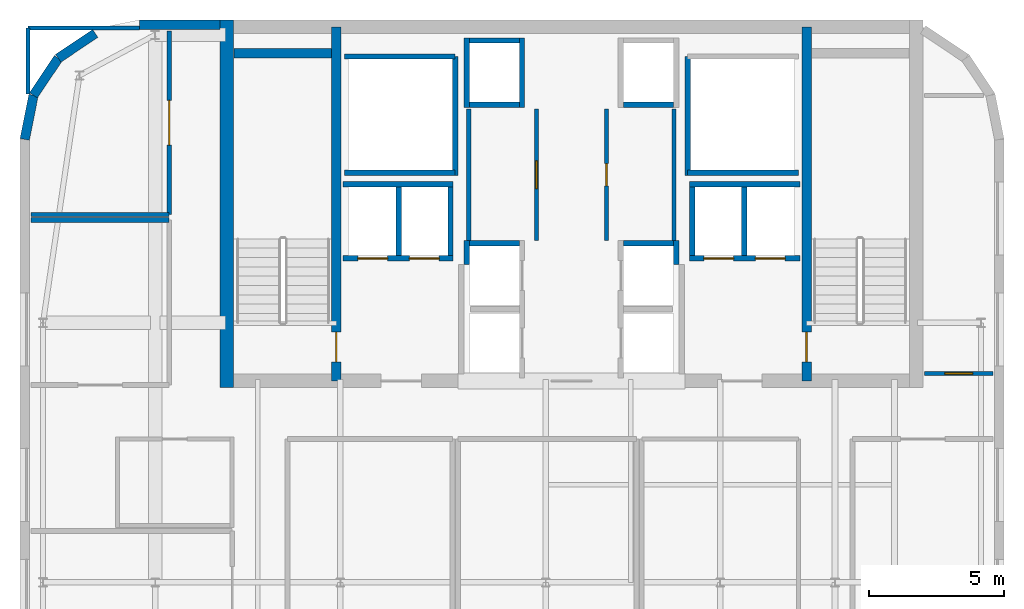
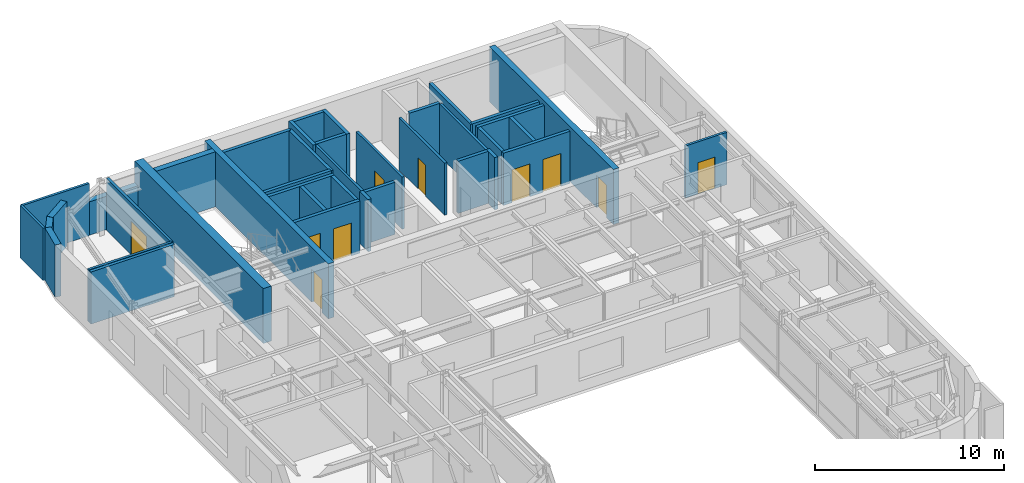
# One storey, part 16 of 18: 40 walls, 10 doors, 10 openings.
"""IFC4 building model written with IfcOpenShell, lengths in metres."""

from ifc_helpers import new_model, si_unit, direction, frame, frame_2d, origin, place, context, subcontext, project, spatial, rectangle, extrude, source, transform, mapped, material, layer, layer_set, type_object, type_shapes, element, fill, save


model = new_model("IFC4")

# Units and contexts
model_context = context("Model", 3, precision=1e-05, world=origin(), true_north=direction((0.0, 1.0)))
body_context = subcontext(model_context, "Body", "Model", "MODEL_VIEW")
ifc_project = project(units=[si_unit("LENGTHUNIT", "METRE"), si_unit("AREAUNIT", "SQUARE_METRE"), si_unit("VOLUMEUNIT", "CUBIC_METRE"), si_unit("PLANEANGLEUNIT", "RADIAN"), si_unit("MASSUNIT", "GRAM", prefix="KILO")], contexts=[model_context])

# Site, building, storey
site_placement = place(None, origin())
site = spatial("IfcSite", under=ifc_project, at=site_placement, CompositionType="ELEMENT")
building_placement = place(site_placement, origin())
building = spatial("IfcBuilding", under=site, at=building_placement, Name="Tolvann Quenvar Hotel", CompositionType="ELEMENT")
storey_placement = place(building_placement, frame((0.0, 0.0, 259.39990234375)))
storey = spatial("IfcBuildingStorey", under=building, at=storey_placement, Name="L69", CompositionType="ELEMENT", Elevation=259.39990234375)

# Wall
ifc_material_1 = material(Name="Concrete N50 (50 MPa)", Category="concrete")
ifc_layer_1 = layer(ifc_material_1, 0.5)
ifc_layer_set_1 = layer_set([ifc_layer_1], Name="Concrete N50 (50 MPa)")
wall_type_1 = type_object("IfcWallType", Name="WALL_CORE_500", PredefinedType="SHEAR", material=ifc_layer_set_1)
wall_1_placement = place(storey_placement, frame((10.25, 31.60009765625, 0.0), z_axis=(0.0, 0.0, 1.0), x_axis=(0.0, 1.0, 0.0)))
element("IfcWall", 1, at=wall_1_placement, inside=storey, type_object=wall_type_1, Name="Rear Core W Shear Wall (L69)", PredefinedType="SHEAR", context=body_context, shape_type="SweptSolid", body=[
    extrude(rectangle(XDim=13.599853515625, YDim=0.5, at=frame_2d((6.7998046875, 0.0))), origin(), (0.0, 0.0, 1.0), 3.550048828125),
])

# Wall, opening, door
ifc_material_2 = material(Name="Concrete S65 (65 MPa)", Category="concrete")
ifc_layer_2 = layer(ifc_material_2, 0.35009765625)
ifc_layer_set_2 = layer_set([ifc_layer_2], Name="Concrete S65 (65 MPa)")
wall_type_2 = type_object("IfcWallType", Name="WALL_CORE_INT_350", PredefinedType="SHEAR", material=ifc_layer_set_2)
wall_2_placement = place(storey_placement, frame((14.300048828125, 31.85009765625, 0.0), z_axis=(0.0, 0.0, 1.0), x_axis=(0.0, 1.0, 0.0)))
wall_2 = element("IfcWall", 2, at=wall_2_placement, inside=storey, type_object=wall_type_2, Name="Core Internal Web Shear Wall WEB-W (L69)", PredefinedType="SHEAR", context=body_context, shape_type="SweptSolid", body=[
    extrude(rectangle(XDim=13.099853515625, YDim=0.35009765625, at=frame_2d((6.5498046875, 0.0))), origin(), (0.0, 0.0, 1.0), 3.550048828125),
])
opening_1_placement = place(wall_2_placement, frame((0.699951171875, 0.0, 0.0)))
opening_1 = element("IfcOpeningElement", 3, at=opening_1_placement, cuts=wall_2, Name="Opening FD-120", PredefinedType="OPENING", context=body_context, shape_type="SweptSolid", body=[
    extrude(rectangle(XDim=1.10009765625, YDim=2.1201171875, at=frame_2d((0.550048828125, 1.06005859375))), frame((0.0, 0.18505859375, 0.0), z_axis=(0.0, -1.0, 0.0), x_axis=(1.0, 0.0, 0.0)), (0.0, 0.0, 1.0), 0.3701171875),
])
ifc_material_3 = material(Name="Pressed galvanised steel fire-rated door set", Category="steel")
door_type_1 = type_object("IfcDoorType", Name="DOOR_FIRE_STAIR_1100", OperationType="NOTDEFINED", PredefinedType="DOOR", material=ifc_material_3)
shared_shape_1 = source(origin(), body_context, "Body", "SweptSolid", [
    extrude(rectangle(XDim=1.10009765625, YDim=2.1201171875, at=frame_2d((0.550048828125, 1.06005859375))), frame((0.0, 0.02490234375, 0.0), z_axis=(0.0, -1.0, 0.0), x_axis=(1.0, 0.0, 0.0)), (0.0, 0.0, 1.0), 0.050048828125),
])
type_shapes(door_type_1, [shared_shape_1])
door_1_placement = place(opening_1_placement, origin())
door_1 = element("IfcDoor", 4, at=door_1_placement, inside=storey, type_object=door_type_1, Name="Exit Stair ST-C1 Fire Door (L69)", OperationType="SINGLE_SWING_LEFT", OverallHeight=2.1201171875, OverallWidth=1.10009765625, PredefinedType="DOOR", context=body_context, shape_type="MappedRepresentation", body=[
    mapped(shared_shape_1, transform((0.0, 0.0, 0.0), x_axis=(1.0, 0.0, 0.0), y_axis=(0.0, 1.0, 0.0), z_axis=(0.0, 0.0, 1.0), scale=1.0)),
])
fill(opening_1, door_1)

wall_3_placement = place(storey_placement, frame((31.699951171875, 31.85009765625, 0.0), z_axis=(0.0, 0.0, 1.0), x_axis=(0.0, 1.0, 0.0)))
wall_3 = element("IfcWall", 5, at=wall_3_placement, inside=storey, type_object=wall_type_2, Name="Core Internal Web Shear Wall WEB-E (L69)", PredefinedType="SHEAR", context=body_context, shape_type="SweptSolid", body=[
    extrude(rectangle(XDim=13.099853515625, YDim=0.35009765625, at=frame_2d((6.5498046875, 0.0))), origin(), (0.0, 0.0, 1.0), 3.550048828125),
])
opening_2_placement = place(wall_3_placement, frame((1.800048828125, 0.0, 0.0), z_axis=(0.0, 0.0, 1.0), x_axis=(-1.0, 0.0, 0.0)))
opening_2 = element("IfcOpeningElement", 6, at=opening_2_placement, cuts=wall_3, Name="Opening FD-120", PredefinedType="OPENING", context=body_context, shape_type="SweptSolid", body=[
    extrude(rectangle(XDim=1.10009765625, YDim=2.1201171875, at=frame_2d((0.550048828125, 1.06005859375))), frame((0.0, 0.18505859375, 0.0), z_axis=(0.0, -1.0, 0.0), x_axis=(1.0, 0.0, 0.0)), (0.0, 0.0, 1.0), 0.3701171875),
])
door_2_placement = place(opening_2_placement, origin())
door_2 = element("IfcDoor", 7, at=door_2_placement, inside=storey, type_object=door_type_1, Name="Exit Stair ST-C2 Fire Door (L69)", OperationType="SINGLE_SWING_RIGHT", OverallHeight=2.1201171875, OverallWidth=1.10009765625, PredefinedType="DOOR", context=body_context, shape_type="MappedRepresentation", body=[
    mapped(shared_shape_1, transform((0.0, 0.0, 0.0), x_axis=(1.0, 0.0, 0.0), y_axis=(0.0, 1.0, 0.0), z_axis=(0.0, 0.0, 1.0), scale=1.0)),
])
fill(opening_2, door_2)

# Walls
wall_4_placement = place(storey_placement, frame((10.52001953125, 43.97509765625, 0.0), z_axis=(0.0, 0.0, 1.0), x_axis=(1.0, 0.0, 0.0)))
element("IfcWall", 8, at=wall_4_placement, inside=storey, type_object=wall_type_2, Name="Core Stair North Closing Shear Wall STC1-N (L69)", PredefinedType="SHEAR", context=body_context, shape_type="SweptSolid", body=[
    extrude(rectangle(XDim=3.60009765625, YDim=0.35009765625, at=frame_2d((1.800048828125, 0.0))), origin(), (0.0, 0.0, 1.0), 3.550048828125),
])
ifc_material_4 = material(Name="Kiln-fired red and buff architectural clay brickwork and terracotta masonry", Category="masonry")
ifc_layer_3 = layer(ifc_material_4, 0.35009765625)
ifc_layer_set_3 = layer_set([ifc_layer_3], Name="Kiln-fired red and buff architectural clay brickwork and terracotta masonry")
wall_type_3 = type_object("IfcWallType", Name="WALL_EXT_BRICK_350", PredefinedType="SOLIDWALL", material=ifc_layer_set_3)
wall_5_placement = place(storey_placement, frame((9.99609375, 45.02490234375, 0.0), z_axis=(0.0, 0.0, 1.0), x_axis=(-1.0, 0.0, 0.0)))
element("IfcWall", 9, at=wall_5_placement, inside=storey, type_object=wall_type_3, Name="Exterior Chicago Brick Wall L69-E18NW", PredefinedType="SOLIDWALL", context=body_context, shape_type="SweptSolid", body=[
    extrude(rectangle(XDim=2.97900390625, YDim=0.35009765625, at=frame_2d((1.489501953125, 0.0))), origin(), (0.0, 0.0, 1.0), 2.16015625),
])
for number, where, z_axis, x_axis, name in (
    (10, (5.384521484375, 44.7001953125, 0.0), (0.0, 0.0, 1.0), (-0.831502623162, -0.555520825599, 0.0), "Exterior Chicago Brick Wall L69-E20"),
    (11, (4.014892578125, 43.78515625, 0.0), (0.0, 0.0, 1.0), (-0.555623290322, -0.831434158098, 0.0), "Exterior Chicago Brick Wall L69-E21"),
):
    element("IfcWall", number, at=place(storey_placement, frame(where, z_axis=z_axis, x_axis=x_axis)), inside=storey, type_object=wall_type_3, Name=name, PredefinedType="SOLIDWALL", context=body_context, shape_type="SweptSolid", body=[
        extrude(rectangle(XDim=1.647216796875, YDim=0.35009765625, at=frame_2d((0.82373046875, 0.0))), origin(), (0.0, 0.0, 1.0), 2.900146484375),
    ])
wall_6_placement = place(storey_placement, frame((3.099609375, 42.41552734375, 0.0), z_axis=(0.0, 0.0, 1.0), x_axis=(-0.195044345786, -0.980794424524, 0.0)))
element("IfcWall", 12, at=wall_6_placement, inside=storey, type_object=wall_type_3, Name="Exterior Chicago Brick Wall L69-E22", PredefinedType="SOLIDWALL", context=body_context, shape_type="SweptSolid", body=[
    extrude(rectangle(XDim=1.664794921875, YDim=0.35009765625, at=frame_2d((0.83251953125, 0.0))), origin(), (0.0, 0.0, 1.0), 3.3701171875),
])
ifc_material_5 = material(Name="Acoustic twin-stud fire-rated gypsum plasterboard partition")
ifc_layer_4 = layer(ifc_material_5, 0.179931640625)
ifc_layer_set_4 = layer_set([ifc_layer_4], Name="Acoustic twin-stud fire-rated gypsum plasterboard partition")
wall_type_4 = type_object("IfcWallType", Name="WALL_PART_ACOUSTIC_180", PredefinedType="PARTITIONING", material=ifc_layer_set_4)
wall_7_placement = place(storey_placement, frame((3.0048828125, 37.800048828125, 0.0), z_axis=(0.0, 0.0, 1.0), x_axis=(1.0, 0.0, 0.0)))
element("IfcWall", 13, at=wall_7_placement, inside=storey, type_object=wall_type_4, Name="Interior Partition PT-SPC-L69-SAL-N", PredefinedType="PARTITIONING", context=body_context, shape_type="SweptSolid", body=[
    extrude(rectangle(XDim=5.115234375, YDim=0.179931640625, at=frame_2d((2.5576171875, 0.0))), origin(), (0.0, 0.0, 1.0), 3.3701171875),
])

# Wall, opening, door
ifc_layer_5 = layer(ifc_material_5, 0.14990234375)
ifc_layer_set_5 = layer_set([ifc_layer_5], Name="Acoustic twin-stud fire-rated gypsum plasterboard partition")
wall_type_5 = type_object("IfcWallType", Name="WALL_PART_SUITE_150", PredefinedType="PARTITIONING", material=ifc_layer_set_5)
wall_8_placement = place(storey_placement, frame((21.699951171875, 37.050048828125, 0.0), z_axis=(0.0, 0.0, 1.0), x_axis=(0.0, 1.0, 0.0)))
wall_8 = element("IfcWall", 14, at=wall_8_placement, inside=storey, type_object=wall_type_5, Name="Interior Partition PT-SPC-L69-RECPM-1-ENT", PredefinedType="PARTITIONING", context=body_context, shape_type="SweptSolid", body=[
    extrude(rectangle(XDim=4.849853515625, YDim=0.14990234375, at=frame_2d((2.4248046875, 0.0))), origin(), (0.0, 0.0, 1.0), 3.3701171875),
])
opening_3_placement = place(wall_8_placement, frame((1.9150390625, 0.0, 0.0)))
opening_3 = element("IfcOpeningElement", 15, at=opening_3_placement, cuts=wall_8, Name="Opening HD-01", PredefinedType="OPENING", context=body_context, shape_type="SweptSolid", body=[
    extrude(rectangle(XDim=1.02001953125, YDim=2.030029296875, at=frame_2d((0.510009765625, 1.01513671875))), frame((0.0, 0.0849609375, 0.0), z_axis=(0.0, -1.0, 0.0), x_axis=(1.0, 0.0, 0.0)), (0.0, 0.0, 1.0), 0.169921875),
])
door_type_2 = type_object("IfcDoorType", Name="DOOR_BOH_1020", OperationType="NOTDEFINED", PredefinedType="DOOR", material=ifc_material_3)
shared_shape_2 = source(origin(), body_context, "Body", "SweptSolid", [
    extrude(rectangle(XDim=1.02001953125, YDim=2.030029296875, at=frame_2d((0.510009765625, 1.01513671875))), frame((0.0, 0.02490234375, 0.0), z_axis=(0.0, -1.0, 0.0), x_axis=(1.0, 0.0, 0.0)), (0.0, 0.0, 1.0), 0.050048828125),
])
type_shapes(door_type_2, [shared_shape_2])
door_3_placement = place(opening_3_placement, origin())
door_3 = element("IfcDoor", 16, at=door_3_placement, inside=storey, type_object=door_type_2, Name="Interior Door DOOR-SPC-L69-RECPM-1", OperationType="SINGLE_SWING_LEFT", OverallHeight=2.030029296875, OverallWidth=1.02001953125, PredefinedType="DOOR", context=body_context, shape_type="MappedRepresentation", body=[
    mapped(shared_shape_2, transform((0.0, 0.0, 0.0), x_axis=(1.0, 0.0, 0.0), y_axis=(0.0, 1.0, 0.0), z_axis=(0.0, 0.0, 1.0), scale=1.0)),
])
fill(opening_3, door_3)

# Wall
wall_9_placement = place(storey_placement, frame((19.199951171875, 37.0400390625, 0.0), z_axis=(0.0, 0.0, 1.0), x_axis=(0.0, 1.0, 0.0)))
element("IfcWall", 17, at=wall_9_placement, inside=storey, type_object=wall_type_5, Name="Interior Partition PT-SPC-L69-RECPM-1-W", PredefinedType="PARTITIONING", context=body_context, shape_type="SweptSolid", body=[
    extrude(rectangle(XDim=4.85986328125, YDim=0.14990234375, at=frame_2d((2.429931640625, 0.0))), origin(), (0.0, 0.0, 1.0), 3.3701171875),
])

# Wall, opening, door
wall_10_placement = place(storey_placement, frame((24.300048828125, 37.050048828125, 0.0), z_axis=(0.0, 0.0, 1.0), x_axis=(0.0, 1.0, 0.0)))
wall_10 = element("IfcWall", 18, at=wall_10_placement, inside=storey, type_object=wall_type_5, Name="Interior Partition PT-SPC-L69-RECPM-2-ENT", PredefinedType="PARTITIONING", context=body_context, shape_type="SweptSolid", body=[
    extrude(rectangle(XDim=4.849853515625, YDim=0.14990234375, at=frame_2d((2.4248046875, 0.0))), origin(), (0.0, 0.0, 1.0), 3.3701171875),
])
opening_4_placement = place(wall_10_placement, frame((2.014892578125, 0.0, 0.0)))
opening_4 = element("IfcOpeningElement", 19, at=opening_4_placement, cuts=wall_10, Name="Opening HD-02", PredefinedType="OPENING", context=body_context, shape_type="SweptSolid", body=[
    extrude(rectangle(XDim=0.820068359375, YDim=2.010009765625, at=frame_2d((0.41015625, 1.0048828125))), frame((0.0, 0.0849609375, 0.0), z_axis=(0.0, -1.0, 0.0), x_axis=(1.0, 0.0, 0.0)), (0.0, 0.0, 1.0), 0.169921875),
])
door_type_3 = type_object("IfcDoorType", Name="DOOR_STORE_820", OperationType="NOTDEFINED", PredefinedType="DOOR", material=ifc_material_3)
shared_shape_3 = source(origin(), body_context, "Body", "SweptSolid", [
    extrude(rectangle(XDim=0.820068359375, YDim=2.010009765625, at=frame_2d((0.41015625, 1.0048828125))), frame((0.0, 0.02490234375, 0.0), z_axis=(0.0, -1.0, 0.0), x_axis=(1.0, 0.0, 0.0)), (0.0, 0.0, 1.0), 0.050048828125),
])
type_shapes(door_type_3, [shared_shape_3])
door_4_placement = place(opening_4_placement, origin())
door_4 = element("IfcDoor", 20, at=door_4_placement, inside=storey, type_object=door_type_3, Name="Interior Door DOOR-SPC-L69-RECPM-2", OperationType="SINGLE_SWING_RIGHT", OverallHeight=2.010009765625, OverallWidth=0.820068359375, PredefinedType="DOOR", context=body_context, shape_type="MappedRepresentation", body=[
    mapped(shared_shape_3, transform((0.0, 0.0, 0.0), x_axis=(1.0, 0.0, 0.0), y_axis=(0.0, 1.0, 0.0), z_axis=(0.0, 0.0, 1.0), scale=1.0)),
])
fill(opening_4, door_4)

# Walls
wall_11_placement = place(storey_placement, frame((26.800048828125, 37.0400390625, 0.0), z_axis=(0.0, 0.0, 1.0), x_axis=(0.0, 1.0, 0.0)))
element("IfcWall", 21, at=wall_11_placement, inside=storey, type_object=wall_type_5, Name="Interior Partition PT-SPC-L69-RECPM-2-E", PredefinedType="PARTITIONING", context=body_context, shape_type="SweptSolid", body=[
    extrude(rectangle(XDim=4.85986328125, YDim=0.14990234375, at=frame_2d((2.429931640625, 0.0))), origin(), (0.0, 0.0, 1.0), 3.3701171875),
])
wall_12_placement = place(storey_placement, frame((3.0048828125, 38.0, 0.0), z_axis=(0.0, 0.0, 1.0), x_axis=(1.0, 0.0, 0.0)))
element("IfcWall", 22, at=wall_12_placement, inside=storey, type_object=wall_type_5, Name="Interior Partition PT-SPC-L69-SPA-S", PredefinedType="PARTITIONING", context=body_context, shape_type="SweptSolid", body=[
    extrude(rectangle(XDim=5.115234375, YDim=0.14990234375, at=frame_2d((2.5576171875, 0.0))), origin(), (0.0, 0.0, 1.0), 3.3701171875),
])
wall_13_placement = place(storey_placement, frame((2.89990234375, 44.89990234375, 0.0), z_axis=(0.0, 0.0, 1.0), x_axis=(1.0, 0.0, 0.0)))
element("IfcWall", 23, at=wall_13_placement, inside=storey, type_object=wall_type_5, Name="Interior Partition PT-SPC-L69-SPA-N", PredefinedType="PARTITIONING", context=body_context, shape_type="SweptSolid", body=[
    extrude(rectangle(XDim=4.1171875, YDim=0.14990234375, at=frame_2d((2.05859375, 0.0))), origin(), (0.0, 0.0, 1.0), 3.3701171875),
])
wall_14_placement = place(storey_placement, frame((2.89990234375, 42.455078125, 0.0), z_axis=(0.0, 0.0, 1.0), x_axis=(0.0, 1.0, 0.0)))
element("IfcWall", 24, at=wall_14_placement, inside=storey, type_object=wall_type_5, Name="Interior Partition PT-SPC-L69-SPA-W", PredefinedType="PARTITIONING", context=body_context, shape_type="SweptSolid", body=[
    extrude(rectangle(XDim=2.44482421875, YDim=0.14990234375, at=frame_2d((1.222412109375, 0.0))), origin(), (0.0, 0.0, 1.0), 3.3701171875),
])

# Wall, opening, door
wall_15_placement = place(storey_placement, frame((8.1201171875, 38.0, 0.0), z_axis=(0.0, 0.0, 1.0), x_axis=(0.0, 1.0, 0.0)))
wall_15 = element("IfcWall", 25, at=wall_15_placement, inside=storey, type_object=wall_type_5, Name="Interior Partition PT-SPC-L69-SPA-E", PredefinedType="PARTITIONING", context=body_context, shape_type="SweptSolid", body=[
    extrude(rectangle(XDim=6.794921875, YDim=0.14990234375, at=frame_2d((3.3974609375, 0.0))), origin(), (0.0, 0.0, 1.0), 3.3701171875),
])
opening_5_placement = place(wall_15_placement, frame((2.572509765625, 0.0, 0.0)))
opening_5 = element("IfcOpeningElement", 26, at=opening_5_placement, cuts=wall_15, Name="Opening AD-01", PredefinedType="OPENING", context=body_context, shape_type="SweptSolid", body=[
    extrude(rectangle(XDim=1.64990234375, YDim=2.14990234375, at=frame_2d((0.824951171875, 1.074951171875))), frame((0.0, 0.0849609375, 0.0), z_axis=(0.0, -1.0, 0.0), x_axis=(1.0, 0.0, 0.0)), (0.0, 0.0, 1.0), 0.169921875),
])
ifc_material_6 = material(Name="Solid-core American oak acoustic fire door leaf in steel frame", Category="steel")
door_type_4 = type_object("IfcDoorType", Name="DOOR_SALON_1650", OperationType="NOTDEFINED", PredefinedType="DOOR", material=ifc_material_6)
shared_shape_4 = source(origin(), body_context, "Body", "SweptSolid", [
    extrude(rectangle(XDim=1.64990234375, YDim=2.14990234375, at=frame_2d((0.824951171875, 1.074951171875))), frame((0.0, 0.02490234375, 0.0), z_axis=(0.0, -1.0, 0.0), x_axis=(1.0, 0.0, 0.0)), (0.0, 0.0, 1.0), 0.050048828125),
])
type_shapes(door_type_4, [shared_shape_4])
door_5_placement = place(opening_5_placement, origin())
door_5 = element("IfcDoor", 27, at=door_5_placement, inside=storey, type_object=door_type_4, Name="Interior Door DOOR-SPC-L69-SPA", OperationType="DOUBLE_DOOR_SINGLE_SWING", OverallHeight=2.14990234375, OverallWidth=1.64990234375, PredefinedType="DOOR", context=body_context, shape_type="MappedRepresentation", body=[
    mapped(shared_shape_4, transform((0.0, 0.0, 0.0), x_axis=(1.0, 0.0, 0.0), y_axis=(0.0, 1.0, 0.0), z_axis=(0.0, 0.0, 1.0), scale=1.0)),
])
fill(opening_5, door_5)

wall_16_placement = place(storey_placement, frame((36.054931640625, 32.1201171875, 0.0), z_axis=(0.0, 0.0, 1.0), x_axis=(1.0, 0.0, 0.0)))
wall_16 = element("IfcWall", 28, at=wall_16_placement, inside=storey, type_object=wall_type_5, Name="Interior Partition PT-SPC-L69-RECPL-P-S", PredefinedType="PARTITIONING", context=body_context, shape_type="SweptSolid", body=[
    extrude(rectangle(XDim=2.5400390625, YDim=0.14990234375, at=frame_2d((1.27001953125, 0.0))), origin(), (0.0, 0.0, 1.0), 3.3701171875),
])
opening_6_placement = place(wall_16_placement, frame((0.760009765625, 0.0, 0.0)))
opening_6 = element("IfcOpeningElement", 29, at=opening_6_placement, cuts=wall_16, Name="Opening HD-01", PredefinedType="OPENING", context=body_context, shape_type="SweptSolid", body=[
    extrude(rectangle(XDim=1.02001953125, YDim=2.030029296875, at=frame_2d((0.510009765625, 1.01513671875))), frame((0.0, 0.0849609375, 0.0), z_axis=(0.0, -1.0, 0.0), x_axis=(1.0, 0.0, 0.0)), (0.0, 0.0, 1.0), 0.169921875),
])
door_6_placement = place(opening_6_placement, origin())
door_6 = element("IfcDoor", 30, at=door_6_placement, inside=storey, type_object=door_type_2, Name="Interior Door DOOR-SPC-L69-RECPL-P", OperationType="SINGLE_SWING_LEFT", OverallHeight=2.030029296875, OverallWidth=1.02001953125, PredefinedType="DOOR", context=body_context, shape_type="MappedRepresentation", body=[
    mapped(shared_shape_2, transform((0.0, 0.0, 0.0), x_axis=(1.0, 0.0, 0.0), y_axis=(0.0, 1.0, 0.0), z_axis=(0.0, 0.0, 1.0), scale=1.0)),
])
fill(opening_6, door_6)

# Walls
ifc_material_7 = material(Name="Concrete N40 (40 MPa)", Category="concrete")
ifc_layer_6 = layer(ifc_material_7, 0.199951171875)
ifc_layer_set_6 = layer_set([ifc_layer_6], Name="Concrete N40 (40 MPa)")
wall_type_6 = type_object("IfcWallType", Name="WALL_SHAFT_200", PredefinedType="SOLIDWALL", material=ifc_layer_set_6)
wall_17_placement = place(storey_placement, frame((18.699951171875, 39.449951171875, 0.0), z_axis=(0.0, 0.0, 1.0), x_axis=(0.0, 1.0, 0.0)))
element("IfcWall", 31, at=wall_17_placement, inside=storey, type_object=wall_type_6, Name="Service Riser W Shaft Wall IN (L69)", PredefinedType="SOLIDWALL", context=body_context, shape_type="SweptSolid", body=[
    extrude(rectangle(XDim=4.400146484375, YDim=0.199951171875, at=frame_2d((2.2001953125, 0.0))), origin(), (0.0, 0.0, 1.0), 3.3701171875),
])
for number, where, z_axis, x_axis, name in (
    (32, (14.60009765625, 39.550048828125, 0.0), (0.0, 0.0, 1.0), (1.0, 0.0, 0.0), "Service Riser W Shaft Wall S (L69)"),
    (33, (14.60009765625, 43.85009765625, 0.0), (0.0, 0.0, 1.0), (1.0, 0.0, 0.0), "Service Riser W Shaft Wall N (L69)"),
):
    element("IfcWall", number, at=place(storey_placement, frame(where, z_axis=z_axis, x_axis=x_axis)), inside=storey, type_object=wall_type_6, Name=name, PredefinedType="SOLIDWALL", context=body_context, shape_type="SweptSolid", body=[
        extrude(rectangle(XDim=4.099853515625, YDim=0.199951171875, at=frame_2d((2.0498046875, 0.0))), origin(), (0.0, 0.0, 1.0), 3.3701171875),
    ])
wall_18_placement = place(storey_placement, frame((27.300048828125, 39.449951171875, 0.0), z_axis=(0.0, 0.0, 1.0), x_axis=(0.0, 1.0, 0.0)))
element("IfcWall", 34, at=wall_18_placement, inside=storey, type_object=wall_type_6, Name="Service Riser E Shaft Wall IN (L69)", PredefinedType="SOLIDWALL", context=body_context, shape_type="SweptSolid", body=[
    extrude(rectangle(XDim=4.400146484375, YDim=0.199951171875, at=frame_2d((2.2001953125, 0.0))), origin(), (0.0, 0.0, 1.0), 3.3701171875),
])
wall_19_placement = place(storey_placement, frame((27.300048828125, 39.550048828125, 0.0), z_axis=(0.0, 0.0, 1.0), x_axis=(1.0, 0.0, 0.0)))
element("IfcWall", 35, at=wall_19_placement, inside=storey, type_object=wall_type_6, Name="Service Riser E Shaft Wall S (L69)", PredefinedType="SOLIDWALL", context=body_context, shape_type="SweptSolid", body=[
    extrude(rectangle(XDim=4.099853515625, YDim=0.199951171875, at=frame_2d((2.0498046875, 0.0))), origin(), (0.0, 0.0, 1.0), 3.3701171875),
])
wall_20_placement = place(storey_placement, frame((19.1298828125, 36.159912109375, 0.0), z_axis=(0.0, 0.0, 1.0), x_axis=(0.0, 1.0, 0.0)))
element("IfcWall", 36, at=wall_20_placement, inside=storey, type_object=wall_type_6, Name="Lift Bank E21.1C1 Hoistway Rear Wall (L69)", PredefinedType="SOLIDWALL", context=body_context, shape_type="SweptSolid", body=[
    extrude(rectangle(XDim=0.880126953125, YDim=0.199951171875, at=frame_2d((0.43994140625, 0.0))), origin(), (0.0, 0.0, 1.0), 3.3701171875),
])
wall_21_placement = place(storey_placement, frame((19.22998046875, 36.93994140625, 0.0), z_axis=(0.0, 0.0, 1.0), x_axis=(1.0, 0.0, 0.0)))
element("IfcWall", 37, at=wall_21_placement, inside=storey, type_object=wall_type_6, Name="Lift Bank E21.1C1 Hoistway Cheek Wall 2 (L69)", PredefinedType="SOLIDWALL", context=body_context, shape_type="SweptSolid", body=[
    extrude(rectangle(XDim=1.840087890625, YDim=0.199951171875, at=frame_2d((0.919921875, 0.0))), origin(), (0.0, 0.0, 1.0), 3.3701171875),
])
for number, where, z_axis, x_axis, name in (
    (38, (21.169921875, 41.9599609375, 0.0), (0.0, 0.0, 1.0), (0.0, 1.0, 0.0), "Lift Bank E21.1C2 Hoistway Front Wall (L69)"),
    (39, (19.1298828125, 41.9599609375, 0.0), (0.0, 0.0, 1.0), (0.0, 1.0, 0.0), "Lift Bank E21.1C2 Hoistway Rear Wall (L69)"),
):
    element("IfcWall", number, at=place(storey_placement, frame(where, z_axis=z_axis, x_axis=x_axis)), inside=storey, type_object=wall_type_6, Name=name, PredefinedType="SOLIDWALL", context=body_context, shape_type="SweptSolid", body=[
        extrude(rectangle(XDim=2.580078125, YDim=0.199951171875, at=frame_2d((1.2900390625, 0.0))), origin(), (0.0, 0.0, 1.0), 3.3701171875),
    ])
for number, where, z_axis, x_axis, name in (
    (40, (19.22998046875, 42.06005859375, 0.0), (0.0, 0.0, 1.0), (1.0, 0.0, 0.0), "Lift Bank E21.1C2 Hoistway Cheek Wall 1 (L69)"),
    (41, (19.22998046875, 44.43994140625, 0.0), (0.0, 0.0, 1.0), (1.0, 0.0, 0.0), "Lift Bank E21.1C2 Hoistway Cheek Wall 2 (L69)"),
):
    element("IfcWall", number, at=place(storey_placement, frame(where, z_axis=z_axis, x_axis=x_axis)), inside=storey, type_object=wall_type_6, Name=name, PredefinedType="SOLIDWALL", context=body_context, shape_type="SweptSolid", body=[
        extrude(rectangle(XDim=1.840087890625, YDim=0.199951171875, at=frame_2d((0.919921875, 0.0))), origin(), (0.0, 0.0, 1.0), 3.3701171875),
    ])

# Wall, openings, doors
wall_22_placement = place(storey_placement, frame((27.375, 36.3798828125, 0.0), z_axis=(0.0, 0.0, 1.0), x_axis=(1.0, 0.0, 0.0)))
wall_22 = element("IfcWall", 42, at=wall_22_placement, inside=storey, type_object=wall_type_6, Name="Lift Bank SEC1 Hoistway Front Wall (L69)", PredefinedType="SOLIDWALL", context=body_context, shape_type="SweptSolid", body=[
    extrude(rectangle(XDim=4.074951171875, YDim=0.199951171875, at=frame_2d((2.03759765625, 0.0))), origin(), (0.0, 0.0, 1.0), 3.3701171875),
])
opening_7_placement = place(wall_22_placement, frame((0.52490234375, 0.0, 0.0)))
opening_7 = element("IfcOpeningElement", 43, at=opening_7_placement, cuts=wall_22, Name="Opening LD-01", PredefinedType="OPENING", context=body_context, shape_type="SweptSolid", body=[
    extrude(rectangle(XDim=1.10009765625, YDim=2.1201171875, at=frame_2d((0.550048828125, 1.06005859375))), frame((0.0, 0.10986328125, 0.0), z_axis=(0.0, -1.0, 0.0), x_axis=(1.0, 0.0, 0.0)), (0.0, 0.0, 1.0), 0.219970703125),
])
opening_8_placement = place(wall_22_placement, frame((2.425048828125, 0.0, 0.0)))
opening_8 = element("IfcOpeningElement", 44, at=opening_8_placement, cuts=wall_22, Name="Opening LD-01", PredefinedType="OPENING", context=body_context, shape_type="SweptSolid", body=[
    extrude(rectangle(XDim=1.10009765625, YDim=2.1201171875, at=frame_2d((0.550048828125, 1.06005859375))), frame((0.0, 0.10986328125, 0.0), z_axis=(0.0, -1.0, 0.0), x_axis=(1.0, 0.0, 0.0)), (0.0, 0.0, 1.0), 0.219970703125),
])
ifc_material_8 = material(Name="Brushed 316 stainless steel automatic sliding lift landing door", Category="steel")
door_type_5 = type_object("IfcDoorType", Name="DOOR_LIFT_SLIDE_1100", OperationType="NOTDEFINED", PredefinedType="DOOR", material=ifc_material_8)
shared_shape_5 = source(origin(), body_context, "Body", "SweptSolid", [
    extrude(rectangle(XDim=1.10009765625, YDim=2.1201171875, at=frame_2d((0.550048828125, 1.06005859375))), frame((0.0, 0.02490234375, 0.0), z_axis=(0.0, -1.0, 0.0), x_axis=(1.0, 0.0, 0.0)), (0.0, 0.0, 1.0), 0.050048828125),
])
type_shapes(door_type_5, [shared_shape_5])
door_7_placement = place(opening_7_placement, origin())
door_7 = element("IfcDoor", 45, at=door_7_placement, inside=storey, type_object=door_type_5, Name="Lift SV-2 Sliding Landing Door (L69)", OperationType="SLIDING_TO_LEFT", OverallHeight=2.1201171875, OverallWidth=1.10009765625, PredefinedType="DOOR", context=body_context, shape_type="MappedRepresentation", body=[
    mapped(shared_shape_5, transform((0.0, 0.0, 0.0), x_axis=(1.0, 0.0, 0.0), y_axis=(0.0, 1.0, 0.0), z_axis=(0.0, 0.0, 1.0), scale=1.0)),
])
fill(opening_7, door_7)
door_8_placement = place(opening_8_placement, origin())
door_8 = element("IfcDoor", 46, at=door_8_placement, inside=storey, type_object=door_type_5, Name="Lift FF-2 Sliding Landing Door (L69)", OperationType="SLIDING_TO_RIGHT", OverallHeight=2.1201171875, OverallWidth=1.10009765625, PredefinedType="DOOR", context=body_context, shape_type="MappedRepresentation", body=[
    mapped(shared_shape_5, transform((0.0, 0.0, 0.0), x_axis=(1.0, 0.0, 0.0), y_axis=(0.0, 1.0, 0.0), z_axis=(0.0, 0.0, 1.0), scale=1.0)),
])
fill(opening_8, door_8)

# Walls
wall_23_placement = place(storey_placement, frame((27.375, 39.1201171875, 0.0), z_axis=(0.0, 0.0, 1.0), x_axis=(1.0, 0.0, 0.0)))
element("IfcWall", 47, at=wall_23_placement, inside=storey, type_object=wall_type_6, Name="Lift Bank SEC1 Hoistway Rear Wall (L69)", PredefinedType="SOLIDWALL", context=body_context, shape_type="SweptSolid", body=[
    extrude(rectangle(XDim=4.074951171875, YDim=0.199951171875, at=frame_2d((2.03759765625, 0.0))), origin(), (0.0, 0.0, 1.0), 3.3701171875),
])
for number, where, z_axis, x_axis, name in (
    (48, (27.47509765625, 36.47998046875, 0.0), (0.0, 0.0, 1.0), (0.0, 1.0, 0.0), "Lift Bank SEC1 Hoistway Cheek Wall 1 (L69)"),
    (49, (29.387451171875, 36.47998046875, 0.0), (0.0, 0.0, 1.0), (0.0, 1.0, 0.0), "Lift Bank SEC1 Divider Wall 1 (L69)"),
):
    element("IfcWall", number, at=place(storey_placement, frame(where, z_axis=z_axis, x_axis=x_axis)), inside=storey, type_object=wall_type_6, Name=name, PredefinedType="SOLIDWALL", context=body_context, shape_type="SweptSolid", body=[
        extrude(rectangle(XDim=2.5400390625, YDim=0.199951171875, at=frame_2d((1.27001953125, 0.0))), origin(), (0.0, 0.0, 1.0), 3.3701171875),
    ])

# Wall, openings, doors
wall_24_placement = place(storey_placement, frame((14.550048828125, 36.3798828125, 0.0), z_axis=(0.0, 0.0, 1.0), x_axis=(1.0, 0.0, 0.0)))
wall_24 = element("IfcWall", 50, at=wall_24_placement, inside=storey, type_object=wall_type_6, Name="Lift Bank SWC1 Hoistway Front Wall (L69)", PredefinedType="SOLIDWALL", context=body_context, shape_type="SweptSolid", body=[
    extrude(rectangle(XDim=4.074951171875, YDim=0.199951171875, at=frame_2d((2.03759765625, 0.0))), origin(), (0.0, 0.0, 1.0), 3.3701171875),
])
opening_9_placement = place(wall_24_placement, frame((0.550048828125, 0.0, 0.0)))
opening_9 = element("IfcOpeningElement", 51, at=opening_9_placement, cuts=wall_24, Name="Opening LD-01", PredefinedType="OPENING", context=body_context, shape_type="SweptSolid", body=[
    extrude(rectangle(XDim=1.10009765625, YDim=2.1201171875, at=frame_2d((0.550048828125, 1.06005859375))), frame((0.0, 0.10986328125, 0.0), z_axis=(0.0, -1.0, 0.0), x_axis=(1.0, 0.0, 0.0)), (0.0, 0.0, 1.0), 0.219970703125),
])
opening_10_placement = place(wall_24_placement, frame((2.449951171875, 0.0, 0.0)))
opening_10 = element("IfcOpeningElement", 52, at=opening_10_placement, cuts=wall_24, Name="Opening LD-01", PredefinedType="OPENING", context=body_context, shape_type="SweptSolid", body=[
    extrude(rectangle(XDim=1.10009765625, YDim=2.1201171875, at=frame_2d((0.550048828125, 1.06005859375))), frame((0.0, 0.10986328125, 0.0), z_axis=(0.0, -1.0, 0.0), x_axis=(1.0, 0.0, 0.0)), (0.0, 0.0, 1.0), 0.219970703125),
])
door_9_placement = place(opening_9_placement, origin())
door_9 = element("IfcDoor", 53, at=door_9_placement, inside=storey, type_object=door_type_5, Name="Lift FF-1 Sliding Landing Door (L69)", OperationType="SLIDING_TO_LEFT", OverallHeight=2.1201171875, OverallWidth=1.10009765625, PredefinedType="DOOR", context=body_context, shape_type="MappedRepresentation", body=[
    mapped(shared_shape_5, transform((0.0, 0.0, 0.0), x_axis=(1.0, 0.0, 0.0), y_axis=(0.0, 1.0, 0.0), z_axis=(0.0, 0.0, 1.0), scale=1.0)),
])
fill(opening_9, door_9)
door_10_placement = place(opening_10_placement, origin())
door_10 = element("IfcDoor", 54, at=door_10_placement, inside=storey, type_object=door_type_5, Name="Lift SV-1 Sliding Landing Door (L69)", OperationType="SLIDING_TO_RIGHT", OverallHeight=2.1201171875, OverallWidth=1.10009765625, PredefinedType="DOOR", context=body_context, shape_type="MappedRepresentation", body=[
    mapped(shared_shape_5, transform((0.0, 0.0, 0.0), x_axis=(1.0, 0.0, 0.0), y_axis=(0.0, 1.0, 0.0), z_axis=(0.0, 0.0, 1.0), scale=1.0)),
])
fill(opening_10, door_10)

# Walls
wall_25_placement = place(storey_placement, frame((14.550048828125, 39.1201171875, 0.0), z_axis=(0.0, 0.0, 1.0), x_axis=(1.0, 0.0, 0.0)))
element("IfcWall", 55, at=wall_25_placement, inside=storey, type_object=wall_type_6, Name="Lift Bank SWC1 Hoistway Rear Wall (L69)", PredefinedType="SOLIDWALL", context=body_context, shape_type="SweptSolid", body=[
    extrude(rectangle(XDim=4.074951171875, YDim=0.199951171875, at=frame_2d((2.03759765625, 0.0))), origin(), (0.0, 0.0, 1.0), 3.3701171875),
])
for number, where, z_axis, x_axis, name in (
    (56, (18.52490234375, 36.47998046875, 0.0), (0.0, 0.0, 1.0), (0.0, 1.0, 0.0), "Lift Bank SWC1 Hoistway Cheek Wall 2 (L69)"),
    (57, (16.612548828125, 36.47998046875, 0.0), (0.0, 0.0, 1.0), (0.0, 1.0, 0.0), "Lift Bank SWC1 Divider Wall 1 (L69)"),
):
    element("IfcWall", number, at=place(storey_placement, frame(where, z_axis=z_axis, x_axis=x_axis)), inside=storey, type_object=wall_type_6, Name=name, PredefinedType="SOLIDWALL", context=body_context, shape_type="SweptSolid", body=[
        extrude(rectangle(XDim=2.5400390625, YDim=0.199951171875, at=frame_2d((1.27001953125, 0.0))), origin(), (0.0, 0.0, 1.0), 3.3701171875),
    ])
wall_26_placement = place(storey_placement, frame((26.8701171875, 36.159912109375, 0.0), z_axis=(0.0, 0.0, 1.0), x_axis=(0.0, 1.0, 0.0)))
element("IfcWall", 58, at=wall_26_placement, inside=storey, type_object=wall_type_6, Name="Lift Bank W24.9C1 Hoistway Rear Wall (L69)", PredefinedType="SOLIDWALL", context=body_context, shape_type="SweptSolid", body=[
    extrude(rectangle(XDim=0.880126953125, YDim=0.199951171875, at=frame_2d((0.43994140625, 0.0))), origin(), (0.0, 0.0, 1.0), 3.3701171875),
])
for number, where, z_axis, x_axis, name in (
    (59, (24.929931640625, 36.93994140625, 0.0), (0.0, 0.0, 1.0), (1.0, 0.0, 0.0), "Lift Bank W24.9C1 Hoistway Cheek Wall 2 (L69)"),
    (60, (24.929931640625, 42.06005859375, 0.0), (0.0, 0.0, 1.0), (1.0, 0.0, 0.0), "Lift Bank W24.9C2 Hoistway Cheek Wall 1 (L69)"),
):
    element("IfcWall", number, at=place(storey_placement, frame(where, z_axis=z_axis, x_axis=x_axis)), inside=storey, type_object=wall_type_6, Name=name, PredefinedType="SOLIDWALL", context=body_context, shape_type="SweptSolid", body=[
        extrude(rectangle(XDim=1.840087890625, YDim=0.199951171875, at=frame_2d((0.919921875, 0.0))), origin(), (0.0, 0.0, 1.0), 3.3701171875),
    ])

save(model, "model.ifc")
